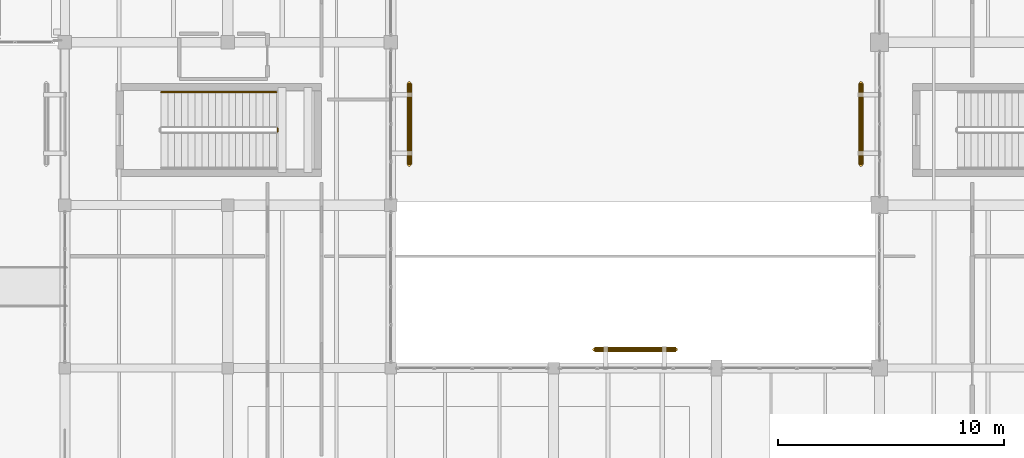
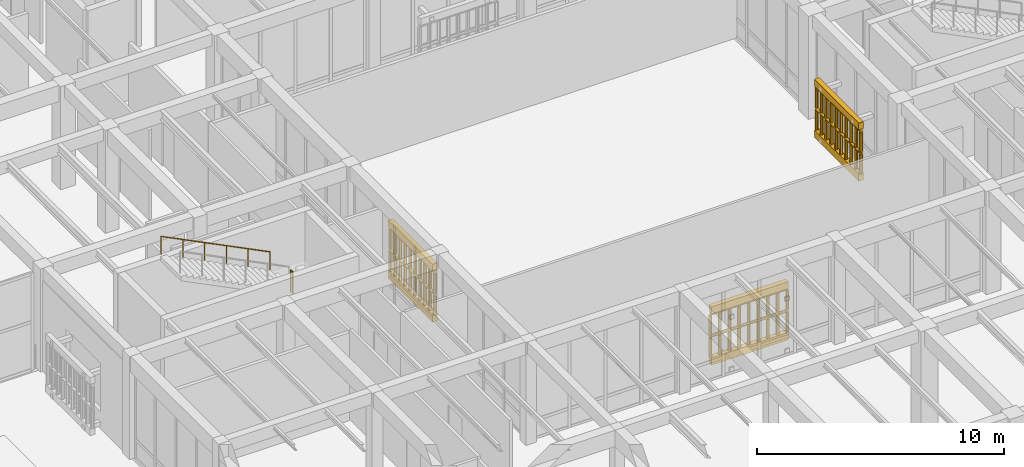
# One storey, part 166 of 169: 8 railings, 6 coverings.
"""IFC4 building model written with IfcOpenShell, lengths in metres."""

from ifc_helpers import new_model, si_unit, direction, frame, origin, origin_2d, place, context, subcontext, project, spatial, polyline, circle, outline, extrude, material, layer, layer_set, type_object, element, save


model = new_model("IFC4")

# Units and contexts
model_context = context("Model", 3, precision=1e-05, world=origin(), true_north=direction((0.0, 1.0)))
body_context = subcontext(model_context, "Body", "Model", "MODEL_VIEW")
ifc_project = project(units=[si_unit("LENGTHUNIT", "METRE"), si_unit("AREAUNIT", "SQUARE_METRE"), si_unit("VOLUMEUNIT", "CUBIC_METRE"), si_unit("PLANEANGLEUNIT", "RADIAN"), si_unit("MASSUNIT", "GRAM", prefix="KILO")], contexts=[model_context])

# Site, building, storey
site_placement = place(None, origin())
site = spatial("IfcSite", under=ifc_project, at=site_placement, CompositionType="ELEMENT")
building_placement = place(site_placement, origin())
building = spatial("IfcBuilding", under=site, at=building_placement, Name="Mazaris Harbour Polytechnic", CompositionType="ELEMENT")
storey_placement = place(building_placement, origin())
storey = spatial("IfcBuildingStorey", under=building, at=storey_placement, Name="L00", CompositionType="ELEMENT", Elevation=0.0)

# Railings
ifc_material_1 = material(Name="Perforated Earth-Coloured Terracotta Block", Category="masonry")
railing_type_1 = type_object("IfcRailingType", Name="Perforated Earth-Block Claustra Lattice 1040", PredefinedType="BALUSTRADE", material=ifc_material_1)
for number, where, name in (
    (1, (145.800048828125, 62.02001953125, 0.52001953125), "V5 L00 Lower Perforated Terracotta Block Screen 362"),
    (2, (145.800048828125, 62.02001953125, 1.610107421875), "V5 L00 Upper Perforated Terracotta Block Screen 362"),
):
    element("IfcRailing", number, at=place(storey_placement, frame(where)), inside=storey, type_object=railing_type_1, Name=name, PredefinedType="BALUSTRADE", context=body_context, shape_type="SweptSolid", body=[
        extrude(circle(Radius=0.06982421875, at=origin_2d()), frame((0.0, 0.0, 1.02001953125), z_axis=(1.0, 0.0, 0.0), x_axis=(0.0, 1.0, 0.0)), (0.0, 0.0, 1.0), 3.599853515625),
        extrude(circle(Radius=0.074951171875, at=origin_2d()), origin(), (0.0, 0.0, 1.0), 0.9501953125),
        extrude(circle(Radius=0.074951171875, at=origin_2d()), frame((0.449951171875, 0.0, 0.0)), (0.0, 0.0, 1.0), 0.9501953125),
        extrude(circle(Radius=0.074951171875, at=origin_2d()), frame((0.89990234375, 0.0, 0.0)), (0.0, 0.0, 1.0), 0.9501953125),
        extrude(circle(Radius=0.074951171875, at=origin_2d()), frame((1.349853515625, 0.0, 0.0)), (0.0, 0.0, 1.0), 0.9501953125),
        extrude(circle(Radius=0.074951171875, at=origin_2d()), frame((1.7998046875, 0.0, 0.0)), (0.0, 0.0, 1.0), 0.9501953125),
        extrude(circle(Radius=0.074951171875, at=origin_2d()), frame((2.25, 0.0, 0.0)), (0.0, 0.0, 1.0), 0.9501953125),
        extrude(circle(Radius=0.074951171875, at=origin_2d()), frame((2.699951171875, 0.0, 0.0)), (0.0, 0.0, 1.0), 0.9501953125),
        extrude(circle(Radius=0.074951171875, at=origin_2d()), frame((3.14990234375, 0.0, 0.0)), (0.0, 0.0, 1.0), 0.9501953125),
        extrude(circle(Radius=0.074951171875, at=origin_2d()), frame((3.599853515625, 0.0, 0.0)), (0.0, 0.0, 1.0), 0.9501953125),
    ])
for number, where, name in (
    (3, (137.6201171875, 70.1875, 0.52001953125), "V5 L00 Lower Perforated Terracotta Block Screen 364"),
    (4, (137.6201171875, 70.1875, 1.610107421875), "V5 L00 Upper Perforated Terracotta Block Screen 364"),
):
    element("IfcRailing", number, at=place(storey_placement, frame(where)), inside=storey, type_object=railing_type_1, Name=name, PredefinedType="BALUSTRADE", context=body_context, shape_type="SweptSolid", body=[
        extrude(circle(Radius=0.06982421875, at=origin_2d()), frame((0.0, 0.0, 1.02001953125), z_axis=(0.0, 1.0, 0.0), x_axis=(-1.0, 0.0, 0.0)), (0.0, 0.0, 1.0), 3.60009765625),
        extrude(circle(Radius=0.074951171875, at=origin_2d()), origin(), (0.0, 0.0, 1.0), 0.9501953125),
        extrude(circle(Radius=0.074951171875, at=origin_2d()), frame((0.0, 0.39990234375, 0.0)), (0.0, 0.0, 1.0), 0.9501953125),
        extrude(circle(Radius=0.074951171875, at=origin_2d()), frame((0.0, 0.800048828125, 0.0)), (0.0, 0.0, 1.0), 0.9501953125),
        extrude(circle(Radius=0.074951171875, at=origin_2d()), frame((0.0, 1.199951171875, 0.0)), (0.0, 0.0, 1.0), 0.9501953125),
        extrude(circle(Radius=0.074951171875, at=origin_2d()), frame((0.0, 1.60009765625, 0.0)), (0.0, 0.0, 1.0), 0.9501953125),
        extrude(circle(Radius=0.074951171875, at=origin_2d()), frame((0.0, 2.0, 0.0)), (0.0, 0.0, 1.0), 0.9501953125),
        extrude(circle(Radius=0.074951171875, at=origin_2d()), frame((0.0, 2.400146484375, 0.0)), (0.0, 0.0, 1.0), 0.9501953125),
        extrude(circle(Radius=0.074951171875, at=origin_2d()), frame((0.0, 2.800048828125, 0.0)), (0.0, 0.0, 1.0), 0.9501953125),
        extrude(circle(Radius=0.074951171875, at=origin_2d()), frame((0.0, 3.2001953125, 0.0)), (0.0, 0.0, 1.0), 0.9501953125),
        extrude(circle(Radius=0.074951171875, at=origin_2d()), frame((0.0, 3.60009765625, 0.0)), (0.0, 0.0, 1.0), 0.9501953125),
    ])
for number, where, name in (
    (5, (157.580078125, 73.78759765625, 0.52001953125), "V5 L00 Lower Perforated Terracotta Block Screen 365"),
    (6, (157.580078125, 73.78759765625, 1.610107421875), "V5 L00 Upper Perforated Terracotta Block Screen 365"),
):
    element("IfcRailing", number, at=place(storey_placement, frame(where)), inside=storey, type_object=railing_type_1, Name=name, PredefinedType="BALUSTRADE", context=body_context, shape_type="SweptSolid", body=[
        extrude(circle(Radius=0.06982421875, at=origin_2d()), frame((0.0, 0.0, 1.02001953125), z_axis=(0.0, -1.0, 0.0), x_axis=(1.0, 0.0, 0.0)), (0.0, 0.0, 1.0), 3.60009765625),
        extrude(circle(Radius=0.074951171875, at=origin_2d()), origin(), (0.0, 0.0, 1.0), 0.9501953125),
        extrude(circle(Radius=0.074951171875, at=origin_2d()), frame((0.0, -0.39990234375, 0.0)), (0.0, 0.0, 1.0), 0.9501953125),
        extrude(circle(Radius=0.074951171875, at=origin_2d()), frame((0.0, -0.800048828125, 0.0)), (0.0, 0.0, 1.0), 0.9501953125),
        extrude(circle(Radius=0.074951171875, at=origin_2d()), frame((0.0, -1.199951171875, 0.0)), (0.0, 0.0, 1.0), 0.9501953125),
        extrude(circle(Radius=0.074951171875, at=origin_2d()), frame((0.0, -1.60009765625, 0.0)), (0.0, 0.0, 1.0), 0.9501953125),
        extrude(circle(Radius=0.074951171875, at=origin_2d()), frame((0.0, -2.0, 0.0)), (0.0, 0.0, 1.0), 0.9501953125),
        extrude(circle(Radius=0.074951171875, at=origin_2d()), frame((0.0, -2.400146484375, 0.0)), (0.0, 0.0, 1.0), 0.9501953125),
        extrude(circle(Radius=0.074951171875, at=origin_2d()), frame((0.0, -2.800048828125, 0.0)), (0.0, 0.0, 1.0), 0.9501953125),
        extrude(circle(Radius=0.074951171875, at=origin_2d()), frame((0.0, -3.2001953125, 0.0)), (0.0, 0.0, 1.0), 0.9501953125),
        extrude(circle(Radius=0.074951171875, at=origin_2d()), frame((0.0, -3.60009765625, 0.0)), (0.0, 0.0, 1.0), 0.9501953125),
    ])
ifc_material_2 = material(Name="Stainless Steel S355", Category="steel")
railing_type_2 = type_object("IfcRailingType", Name="Stair Wall Handrail 900", PredefinedType="HANDRAIL", material=ifc_material_2)
railing_1_placement = place(storey_placement, frame((131.75, 73.39990234375, 2.85009765625)))
element("IfcRailing", 7, at=railing_1_placement, inside=storey, type_object=railing_type_2, Name="L00 ST09 stair handrail 2", PredefinedType="HANDRAIL", context=body_context, shape_type="SweptSolid", body=[
    extrude(circle(Radius=0.02392578125, at=origin_2d()), frame((0.0, 0.0, 0.8759765625), z_axis=(-0.89444431709, 0.0, 0.44717934168), x_axis=(0.0, -1.0, 0.0)), (0.0, 0.0, 1.0), 5.701904296875),
    extrude(circle(Radius=0.02099609375, at=origin_2d()), origin(), (0.0, 0.0, 1.0), 0.851806640625),
    extrude(circle(Radius=0.02099609375, at=origin_2d()), frame((-1.02001953125, 0.0, 0.510009765625)), (0.0, 0.0, 1.0), 0.851806640625),
    extrude(circle(Radius=0.02099609375, at=origin_2d()), frame((-2.0400390625, 0.0, 1.02001953125)), (0.0, 0.0, 1.0), 0.851806640625),
    extrude(circle(Radius=0.02099609375, at=origin_2d()), frame((-3.06005859375, 0.0, 1.52978515625)), (0.0, 0.0, 1.0), 0.851806640625),
    extrude(circle(Radius=0.02099609375, at=origin_2d()), frame((-4.080078125, 0.0, 2.039794921875)), (0.0, 0.0, 1.0), 0.851806640625),
    extrude(circle(Radius=0.02099609375, at=origin_2d()), frame((-5.10009765625, 0.0, 2.5498046875)), (0.0, 0.0, 1.0), 0.851806640625),
])
ifc_material_3 = material(Name="Steel S355", Category="steel")
railing_type_3 = type_object("IfcRailingType", Name="Stair Well Guardrail 1100", PredefinedType="GUARDRAIL", material=ifc_material_3)
railing_2_placement = place(storey_placement, frame((131.800048828125, 71.64990234375, 2.699951171875)))
element("IfcRailing", 8, at=railing_2_placement, inside=storey, type_object=railing_type_3, Name="L00 ST09 stair guard 2", PredefinedType="GUARDRAIL", context=body_context, shape_type="SweptSolid", body=[
    extrude(circle(Radius=0.02392578125, at=origin_2d()), frame((0.0, 0.0, 1.076171875), z_axis=(0.0, 1.0, 0.0), x_axis=(-1.0, 0.0, 0.0)), (0.0, 0.0, 1.0), 0.150146484375),
    extrude(circle(Radius=0.02099609375, at=origin_2d()), origin(), (0.0, 0.0, 1.0), 1.052001953125),
    extrude(circle(Radius=0.02099609375, at=origin_2d()), frame((0.0, 0.150146484375, 0.0)), (0.0, 0.0, 1.0), 1.052001953125),
])

# Coverings
ifc_material_4 = material(Name="Perforated Earth-Coloured Terracotta Block", Category="masonry")
ifc_layer = layer(ifc_material_4, 0.219970703125, Name="Perforated Earth-Coloured Terracotta Block")
ifc_layer_set = layer_set([ifc_layer], Name="Perforated Earth-Coloured Terracotta Block")
covering_type = type_object("IfcCoveringType", Name="Terracotta Screen Course Cladding 220", PredefinedType="CLADDING", material=ifc_layer_set)
covering_1_placement = place(storey_placement, frame((0.0, 0.0, 0.159912109375)))
element("IfcCovering", 9, at=covering_1_placement, inside=storey, type_object=covering_type, Name="V5 L00 Perforated Screen Sill Course 362", PredefinedType="CLADDING", context=body_context, shape_type="SweptSolid", body=[
    extrude(outline(polyline([(145.800048828125, 61.909912109375), (149.39990234375, 61.909912109375), (149.39990234375, 62.1298828125), (145.800048828125, 62.1298828125), (145.800048828125, 61.909912109375)])), origin(), (0.0, 0.0, 1.0), 0.360107421875),
])
covering_2_placement = place(storey_placement, frame((0.0, 0.0, 2.699951171875)))
element("IfcCovering", 10, at=covering_2_placement, inside=storey, type_object=covering_type, Name="V5 L00 Perforated Screen Lintel Course 362", PredefinedType="CLADDING", context=body_context, shape_type="SweptSolid", body=[
    extrude(outline(polyline([(145.800048828125, 61.909912109375), (149.39990234375, 61.909912109375), (149.39990234375, 62.1298828125), (145.800048828125, 62.1298828125), (145.800048828125, 61.909912109375)])), origin(), (0.0, 0.0, 1.0), 0.340087890625),
])
covering_3_placement = place(storey_placement, frame((0.0, 0.0, 0.159912109375)))
element("IfcCovering", 11, at=covering_3_placement, inside=storey, type_object=covering_type, Name="V5 L00 Perforated Screen Sill Course 364", PredefinedType="CLADDING", context=body_context, shape_type="SweptSolid", body=[
    extrude(outline(polyline([(137.510009765625, 70.1875), (137.510009765625, 73.78759765625), (137.72998046875, 73.78759765625), (137.72998046875, 70.1875), (137.510009765625, 70.1875)])), origin(), (0.0, 0.0, 1.0), 0.360107421875),
])
covering_4_placement = place(storey_placement, frame((0.0, 0.0, 2.699951171875)))
element("IfcCovering", 12, at=covering_4_placement, inside=storey, type_object=covering_type, Name="V5 L00 Perforated Screen Lintel Course 364", PredefinedType="CLADDING", context=body_context, shape_type="SweptSolid", body=[
    extrude(outline(polyline([(137.510009765625, 70.1875), (137.510009765625, 73.78759765625), (137.72998046875, 73.78759765625), (137.72998046875, 70.1875), (137.510009765625, 70.1875)])), origin(), (0.0, 0.0, 1.0), 0.340087890625),
])
covering_5_placement = place(storey_placement, frame((0.0, 0.0, 0.159912109375)))
element("IfcCovering", 13, at=covering_5_placement, inside=storey, type_object=covering_type, Name="V5 L00 Perforated Screen Sill Course 365", PredefinedType="CLADDING", context=body_context, shape_type="SweptSolid", body=[
    extrude(outline(polyline([(157.68994140625, 73.78759765625), (157.68994140625, 70.1875), (157.469970703125, 70.1875), (157.469970703125, 73.78759765625), (157.68994140625, 73.78759765625)])), origin(), (0.0, 0.0, 1.0), 0.360107421875),
])
covering_6_placement = place(storey_placement, frame((0.0, 0.0, 2.699951171875)))
element("IfcCovering", 14, at=covering_6_placement, inside=storey, type_object=covering_type, Name="V5 L00 Perforated Screen Lintel Course 365", PredefinedType="CLADDING", context=body_context, shape_type="SweptSolid", body=[
    extrude(outline(polyline([(157.68994140625, 73.78759765625), (157.68994140625, 70.1875), (157.469970703125, 70.1875), (157.469970703125, 73.78759765625), (157.68994140625, 73.78759765625)])), origin(), (0.0, 0.0, 1.0), 0.340087890625),
])

save(model, "model.ifc")
